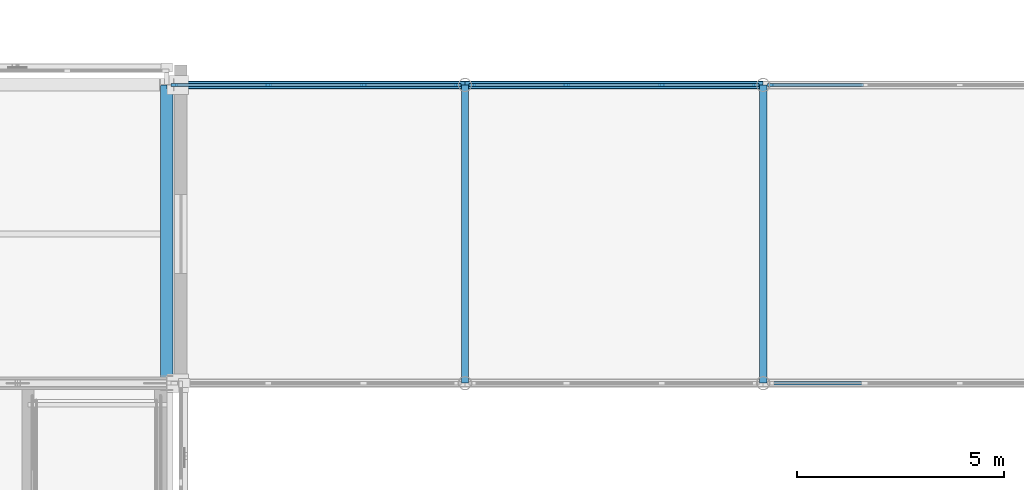
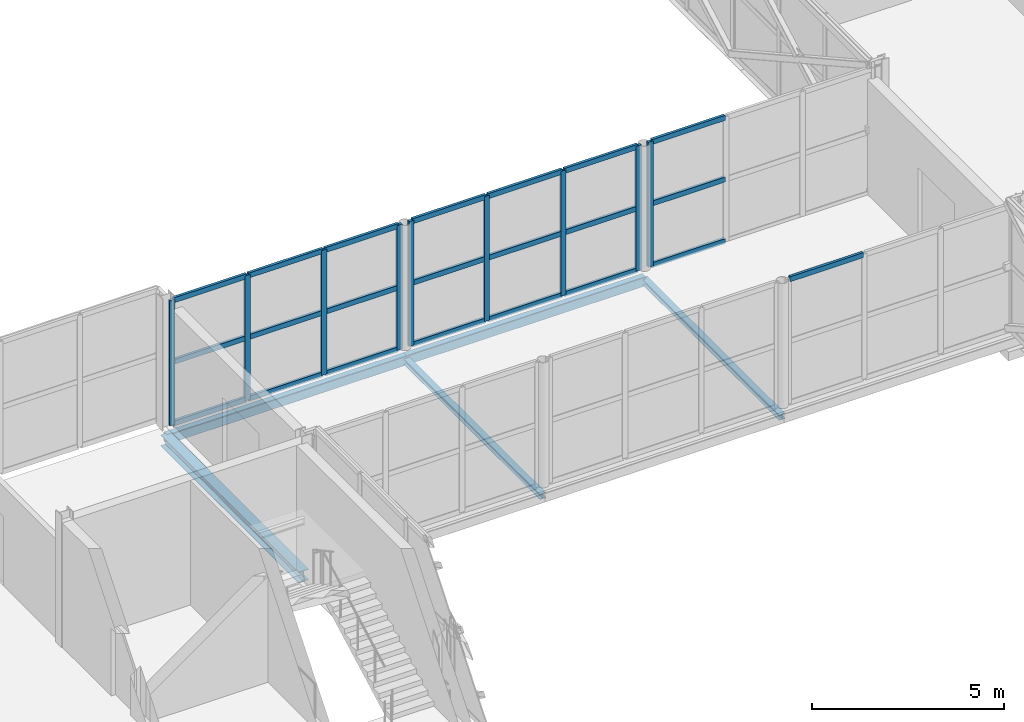
# One storey, part 38 of 126: 31 members, 5 beams, 4 elements without a shape of their own.
"""IFC4 building model written with IfcOpenShell, lengths in metres."""

from ifc_helpers import new_model, si_unit, direction, frame, origin, origin_2d, place, context, subcontext, project, spatial, rectangle, hollow_rectangle, i_section, extrude, material, material_profile, profile_set, type_object, element, aggregate, save


model = new_model("IFC4")

# Units and contexts
model_context = context("Model", 3, precision=1e-05, world=origin(), true_north=direction((0.0, 1.0)))
body_context = subcontext(model_context, "Body", "Model", "MODEL_VIEW")
ifc_project = project(units=[si_unit("LENGTHUNIT", "METRE"), si_unit("AREAUNIT", "SQUARE_METRE"), si_unit("VOLUMEUNIT", "CUBIC_METRE"), si_unit("PLANEANGLEUNIT", "RADIAN"), si_unit("MASSUNIT", "GRAM", prefix="KILO")], contexts=[model_context])

# Site, building, storey
site_placement = place(None, origin())
site = spatial("IfcSite", under=ifc_project, at=site_placement, CompositionType="ELEMENT")
building_placement = place(site_placement, origin())
building = spatial("IfcBuilding", under=site, at=building_placement, Name="Zlatovets Crest Museum", CompositionType="ELEMENT")
storey_placement = place(building_placement, frame((0.0, 0.0, 8.699951171875)))
storey = spatial("IfcBuildingStorey", under=building, at=storey_placement, Name="L02", CompositionType="ELEMENT", Elevation=8.699951171875)

# Beams
ifc_material_1 = material(Name="Structural steel S355J2", Category="steel")
ifc_material_profile_1 = material_profile(ifc_material_1, i_section(OverallWidth=0.300048828125, OverallDepth=0.35009765625, WebThickness=0.010009765625, FlangeThickness=0.017578125, FilletRadius=0.027099609375, at=origin_2d()), Name="HEA 360")
ifc_profile_set_1 = profile_set([ifc_material_profile_1], Name="Structural steel S355J2")
beam_type_1 = type_object("IfcBeamType", Name="Beam_B-03", PredefinedType="BEAM", material=ifc_profile_set_1)
beam_placement = place(storey_placement, frame((108.0, 21.60009765625, -0.39501953125), z_axis=(0.0, 1.0, 0.0), x_axis=(-1.0, 0.0, 0.0)))
element("IfcBeam", 1, at=beam_placement, inside=storey, type_object=beam_type_1, Name="V2 L02 Grid Beam B-03", PredefinedType="BEAM", context=body_context, shape_type="SweptSolid", body=[
    extrude(i_section(OverallWidth=0.300048828125, OverallDepth=0.35009765625, WebThickness=0.010009765625, FlangeThickness=0.017578125, FilletRadius=0.027099609375, at=origin_2d()), origin(), (0.0, 0.0, 1.0), 7.199951171875),
])
ifc_material_profile_2 = material_profile(ifc_material_1, i_section(OverallWidth=0.179931640625, OverallDepth=0.1708984375, WebThickness=0.006103515625, FlangeThickness=0.009521484375, FilletRadius=0.014892578125, at=origin_2d()), Name="HEA 180")
ifc_profile_set_2 = profile_set([ifc_material_profile_2], Name="Structural steel S355J2")
beam_type_2 = type_object("IfcBeamType", Name="Beam_B-16", PredefinedType="BEAM", material=ifc_profile_set_2)
for number, where, z_axis, x_axis, name in (
    (2, (115.199951171875, 21.60009765625, -0.369873046875), (0.0, 1.0, 0.0), (-1.0, 0.0, 0.0), "Southeast Archive Glazed Link Bridge L02 Cross Beam"),
    (3, (122.39990234375, 21.60009765625, -0.369873046875), (0.0, 1.0, 0.0), (-1.0, 0.0, 0.0), "Southeast Archive Glazed Link Bridge L02 Cross Beam"),
):
    element("IfcBeam", number, at=place(storey_placement, frame(where, z_axis=z_axis, x_axis=x_axis)), inside=storey, type_object=beam_type_2, Name=name, PredefinedType="BEAM", context=body_context, shape_type="SweptSolid", body=[
        extrude(i_section(OverallWidth=0.179931640625, OverallDepth=0.1708984375, WebThickness=0.006103515625, FlangeThickness=0.009521484375, FilletRadius=0.014892578125, at=origin_2d()), origin(), (0.0, 0.0, 1.0), 7.199951171875),
    ])
ifc_material_profile_3 = material_profile(ifc_material_1, hollow_rectangle(XDim=0.199951171875, YDim=0.300048828125, WallThickness=0.012451171875, InnerFilletRadius=0.012451171875, OuterFilletRadius=0.02490234375, at=origin_2d()), Name="RHS 200x300x12.5")
ifc_profile_set_3 = profile_set([ifc_material_profile_3], Name="Structural steel S355J2")
beam_type_3 = type_object("IfcBeamType", Name="Beam_BRG-01", PredefinedType="BEAM", material=ifc_profile_set_3)
for number, where, z_axis, x_axis, name in (
    (4, (108.0, 28.800048828125, -0.369873046875), (1.0, 0.0, 0.0), (0.0, 1.0, 0.0), "Southeast Archive Glazed Link Bridge L02 Stringer Beam"),
    (5, (115.199951171875, 28.800048828125, -0.369873046875), (1.0, 0.0, 0.0), (0.0, 1.0, 0.0), "Southeast Archive Glazed Link Bridge L02 Stringer Beam"),
):
    element("IfcBeam", number, at=place(storey_placement, frame(where, z_axis=z_axis, x_axis=x_axis)), inside=storey, type_object=beam_type_3, Name=name, PredefinedType="BEAM", context=body_context, shape_type="SweptSolid", body=[
        extrude(hollow_rectangle(XDim=0.199951171875, YDim=0.300048828125, WallThickness=0.012451171875, InnerFilletRadius=0.012451171875, OuterFilletRadius=0.02490234375, at=origin_2d()), origin(), (0.0, 0.0, 1.0), 7.199951171875),
    ])

# Curtain wall, members
ifc_material_2 = material(Name="Bronze-anodised aluminium and low-E triple glass", Category="aluminium")
curtain_wall_type = type_object("IfcCurtainWallType", Name="CW_CW-BR4-L02-S69", PredefinedType="NOTDEFINED", material=ifc_material_2)
curtain_wall_1_placement = place(storey_placement, origin())
curtain_wall_1 = element("IfcCurtainWall", 6, at=curtain_wall_1_placement, inside=storey, type_object=curtain_wall_type, Name="Southeast Archive Glazed Link Bridge L02 Glazed Bridge Curtain Wall", PredefinedType="NOTDEFINED")
ifc_material_3 = material(Name="Bronze-anodised aluminium EN AW-6060", Category="aluminium")
ifc_material_profile_4 = material_profile(ifc_material_3, rectangle(XDim=0.080078125, YDim=0.159912109375, at=origin_2d()), Name="ALU 80x160")
ifc_profile_set_4 = profile_set([ifc_material_profile_4], Name="Bronze-anodised aluminium EN AW-6060")
member_type_1 = type_object("IfcMemberType", Name="CWMull_M1", PredefinedType="MULLION", material=ifc_profile_set_4)
member_1_placement = place(storey_placement, frame((108.179931640625, 28.800048828125, 0.0), z_axis=(0.0, 0.0, 1.0), x_axis=(0.0, 1.0, 0.0)))
member_1 = element("IfcMember", 7, at=member_1_placement, type_object=member_type_1, Name="CW-BR4-L02-S69 mullion 1", PredefinedType="MULLION", context=body_context, shape_type="SweptSolid", body=[
    extrude(rectangle(XDim=0.080078125, YDim=0.159912109375, at=origin_2d()), origin(), (0.0, 0.0, 1.0), 3.97998046875),
])
member_2_placement = place(storey_placement, frame((110.449951171875, 28.800048828125, 0.0), z_axis=(0.0, 0.0, 1.0), x_axis=(0.0, 1.0, 0.0)))
member_2 = element("IfcMember", 8, at=member_2_placement, type_object=member_type_1, Name="CW-BR4-L02-S69 mullion 2", PredefinedType="MULLION", context=body_context, shape_type="SweptSolid", body=[
    extrude(rectangle(XDim=0.080078125, YDim=0.159912109375, at=origin_2d()), origin(), (0.0, 0.0, 1.0), 3.97998046875),
])
member_3_placement = place(storey_placement, frame((112.75, 28.800048828125, 0.0), z_axis=(0.0, 0.0, 1.0), x_axis=(0.0, 1.0, 0.0)))
member_3 = element("IfcMember", 9, at=member_3_placement, type_object=member_type_1, Name="CW-BR4-L02-S69 mullion 3", PredefinedType="MULLION", context=body_context, shape_type="SweptSolid", body=[
    extrude(rectangle(XDim=0.080078125, YDim=0.159912109375, at=origin_2d()), origin(), (0.0, 0.0, 1.0), 3.97998046875),
])
member_4_placement = place(storey_placement, frame((115.02001953125, 28.800048828125, 0.0), z_axis=(0.0, 0.0, 1.0), x_axis=(0.0, 1.0, 0.0)))
member_4 = element("IfcMember", 10, at=member_4_placement, type_object=member_type_1, Name="CW-BR4-L02-S69 mullion 4", PredefinedType="MULLION", context=body_context, shape_type="SweptSolid", body=[
    extrude(rectangle(XDim=0.080078125, YDim=0.159912109375, at=origin_2d()), origin(), (0.0, 0.0, 1.0), 3.97998046875),
])

curtain_wall_2_placement = place(storey_placement, origin())
curtain_wall_2 = element("IfcCurtainWall", 11, at=curtain_wall_2_placement, inside=storey, type_object=curtain_wall_type, Name="Southeast Archive Glazed Link Bridge L02 Glazed Bridge Curtain Wall", PredefinedType="NOTDEFINED")
member_5_placement = place(storey_placement, frame((115.3798828125, 28.800048828125, 0.0), z_axis=(0.0, 0.0, 1.0), x_axis=(0.0, 1.0, 0.0)))
member_5 = element("IfcMember", 12, at=member_5_placement, type_object=member_type_1, Name="CW-BR4-L02-S69 mullion 1", PredefinedType="MULLION", context=body_context, shape_type="SweptSolid", body=[
    extrude(rectangle(XDim=0.080078125, YDim=0.159912109375, at=origin_2d()), origin(), (0.0, 0.0, 1.0), 3.97998046875),
])
member_6_placement = place(storey_placement, frame((117.64990234375, 28.800048828125, 0.0), z_axis=(0.0, 0.0, 1.0), x_axis=(0.0, 1.0, 0.0)))
member_6 = element("IfcMember", 13, at=member_6_placement, type_object=member_type_1, Name="CW-BR4-L02-S69 mullion 2", PredefinedType="MULLION", context=body_context, shape_type="SweptSolid", body=[
    extrude(rectangle(XDim=0.080078125, YDim=0.159912109375, at=origin_2d()), origin(), (0.0, 0.0, 1.0), 3.97998046875),
])
member_7_placement = place(storey_placement, frame((119.949951171875, 28.800048828125, 0.0), z_axis=(0.0, 0.0, 1.0), x_axis=(0.0, 1.0, 0.0)))
member_7 = element("IfcMember", 14, at=member_7_placement, type_object=member_type_1, Name="CW-BR4-L02-S69 mullion 3", PredefinedType="MULLION", context=body_context, shape_type="SweptSolid", body=[
    extrude(rectangle(XDim=0.080078125, YDim=0.159912109375, at=origin_2d()), origin(), (0.0, 0.0, 1.0), 3.97998046875),
])
member_8_placement = place(storey_placement, frame((122.219970703125, 28.800048828125, 0.0), z_axis=(0.0, 0.0, 1.0), x_axis=(0.0, 1.0, 0.0)))
member_8 = element("IfcMember", 15, at=member_8_placement, type_object=member_type_1, Name="CW-BR4-L02-S69 mullion 4", PredefinedType="MULLION", context=body_context, shape_type="SweptSolid", body=[
    extrude(rectangle(XDim=0.080078125, YDim=0.159912109375, at=origin_2d()), origin(), (0.0, 0.0, 1.0), 3.97998046875),
])

# Curtain wall, member
curtain_wall_3_placement = place(storey_placement, origin())
curtain_wall_3 = element("IfcCurtainWall", 16, at=curtain_wall_3_placement, inside=storey, type_object=curtain_wall_type, Name="Southeast Archive Glazed Link Bridge L02 Glazed Bridge Curtain Wall", PredefinedType="NOTDEFINED")
member_9_placement = place(storey_placement, frame((122.580078125, 28.800048828125, 0.0), z_axis=(0.0, 0.0, 1.0), x_axis=(0.0, 1.0, 0.0)))
member_9 = element("IfcMember", 17, at=member_9_placement, type_object=member_type_1, Name="CW-BR4-L02-S69 mullion 1", PredefinedType="MULLION", context=body_context, shape_type="SweptSolid", body=[
    extrude(rectangle(XDim=0.080078125, YDim=0.159912109375, at=origin_2d()), origin(), (0.0, 0.0, 1.0), 3.97998046875),
])

curtain_wall_4_placement = place(storey_placement, origin())
curtain_wall_4 = element("IfcCurtainWall", 18, at=curtain_wall_4_placement, inside=storey, type_object=curtain_wall_type, Name="Southeast Archive Glazed Link Bridge L02 Glazed Bridge Curtain Wall", PredefinedType="NOTDEFINED")
ifc_material_profile_5 = material_profile(ifc_material_3, rectangle(XDim=0.080078125, YDim=0.159912109375, at=origin_2d()), Name="ALU 80x160")
ifc_profile_set_5 = profile_set([ifc_material_profile_5], Name="Bronze-anodised aluminium EN AW-6060")
member_type_2 = type_object("IfcMemberType", Name="CWTrans_T1", PredefinedType="USERDEFINED", material=ifc_profile_set_5)
member_10_placement = place(storey_placement, frame((122.610107421875, 21.60009765625, 3.949951171875), z_axis=(1.0, 0.0, 0.0), x_axis=(0.0, 1.0, 0.0)))
member_10 = element("IfcMember", 19, at=member_10_placement, type_object=member_type_2, Name="CW-BR4-L02-S69 transom 1.3", ObjectType="TRANSOM", PredefinedType="USERDEFINED", context=body_context, shape_type="SweptSolid", body=[
    extrude(rectangle(XDim=0.080078125, YDim=0.159912109375, at=origin_2d()), origin(), (0.0, 0.0, 1.0), 2.2099609375),
])
aggregate(curtain_wall_4, [member_10])

# Member
member_11_placement = place(storey_placement, frame((108.2099609375, 28.800048828125, 0.030029296875), z_axis=(1.0, 0.0, 0.0), x_axis=(0.0, 1.0, 0.0)))
member_11 = element("IfcMember", 20, at=member_11_placement, type_object=member_type_2, Name="CW-BR4-L02-S69 transom 1.1", ObjectType="TRANSOM", PredefinedType="USERDEFINED", context=body_context, shape_type="SweptSolid", body=[
    extrude(rectangle(XDim=0.080078125, YDim=0.159912109375, at=origin_2d()), origin(), (0.0, 0.0, 1.0), 2.2099609375),
])

member_12_placement = place(storey_placement, frame((108.2099609375, 28.800048828125, 1.989990234375), z_axis=(1.0, 0.0, 0.0), x_axis=(0.0, 1.0, 0.0)))
member_12 = element("IfcMember", 21, at=member_12_placement, type_object=member_type_2, Name="CW-BR4-L02-S69 transom 1.2", ObjectType="TRANSOM", PredefinedType="USERDEFINED", context=body_context, shape_type="SweptSolid", body=[
    extrude(rectangle(XDim=0.080078125, YDim=0.159912109375, at=origin_2d()), origin(), (0.0, 0.0, 1.0), 2.2099609375),
])

member_13_placement = place(storey_placement, frame((108.2099609375, 28.800048828125, 3.949951171875), z_axis=(1.0, 0.0, 0.0), x_axis=(0.0, 1.0, 0.0)))
member_13 = element("IfcMember", 22, at=member_13_placement, type_object=member_type_2, Name="CW-BR4-L02-S69 transom 1.3", ObjectType="TRANSOM", PredefinedType="USERDEFINED", context=body_context, shape_type="SweptSolid", body=[
    extrude(rectangle(XDim=0.080078125, YDim=0.159912109375, at=origin_2d()), origin(), (0.0, 0.0, 1.0), 2.2099609375),
])

member_14_placement = place(storey_placement, frame((110.47998046875, 28.800048828125, 0.030029296875), z_axis=(1.0, 0.0, 0.0), x_axis=(0.0, 1.0, 0.0)))
member_14 = element("IfcMember", 23, at=member_14_placement, type_object=member_type_2, Name="CW-BR4-L02-S69 transom 2.1", ObjectType="TRANSOM", PredefinedType="USERDEFINED", context=body_context, shape_type="SweptSolid", body=[
    extrude(rectangle(XDim=0.080078125, YDim=0.159912109375, at=origin_2d()), origin(), (0.0, 0.0, 1.0), 2.239990234375),
])

member_15_placement = place(storey_placement, frame((110.47998046875, 28.800048828125, 1.989990234375), z_axis=(1.0, 0.0, 0.0), x_axis=(0.0, 1.0, 0.0)))
member_15 = element("IfcMember", 24, at=member_15_placement, type_object=member_type_2, Name="CW-BR4-L02-S69 transom 2.2", ObjectType="TRANSOM", PredefinedType="USERDEFINED", context=body_context, shape_type="SweptSolid", body=[
    extrude(rectangle(XDim=0.080078125, YDim=0.159912109375, at=origin_2d()), origin(), (0.0, 0.0, 1.0), 2.239990234375),
])

member_16_placement = place(storey_placement, frame((110.47998046875, 28.800048828125, 3.949951171875), z_axis=(1.0, 0.0, 0.0), x_axis=(0.0, 1.0, 0.0)))
member_16 = element("IfcMember", 25, at=member_16_placement, type_object=member_type_2, Name="CW-BR4-L02-S69 transom 2.3", ObjectType="TRANSOM", PredefinedType="USERDEFINED", context=body_context, shape_type="SweptSolid", body=[
    extrude(rectangle(XDim=0.080078125, YDim=0.159912109375, at=origin_2d()), origin(), (0.0, 0.0, 1.0), 2.239990234375),
])

member_17_placement = place(storey_placement, frame((112.780029296875, 28.800048828125, 0.030029296875), z_axis=(1.0, 0.0, 0.0), x_axis=(0.0, 1.0, 0.0)))
member_17 = element("IfcMember", 26, at=member_17_placement, type_object=member_type_2, Name="CW-BR4-L02-S69 transom 3.1", ObjectType="TRANSOM", PredefinedType="USERDEFINED", context=body_context, shape_type="SweptSolid", body=[
    extrude(rectangle(XDim=0.080078125, YDim=0.159912109375, at=origin_2d()), origin(), (0.0, 0.0, 1.0), 2.2099609375),
])

member_18_placement = place(storey_placement, frame((112.780029296875, 28.800048828125, 1.989990234375), z_axis=(1.0, 0.0, 0.0), x_axis=(0.0, 1.0, 0.0)))
member_18 = element("IfcMember", 27, at=member_18_placement, type_object=member_type_2, Name="CW-BR4-L02-S69 transom 3.2", ObjectType="TRANSOM", PredefinedType="USERDEFINED", context=body_context, shape_type="SweptSolid", body=[
    extrude(rectangle(XDim=0.080078125, YDim=0.159912109375, at=origin_2d()), origin(), (0.0, 0.0, 1.0), 2.2099609375),
])

member_19_placement = place(storey_placement, frame((112.780029296875, 28.800048828125, 3.949951171875), z_axis=(1.0, 0.0, 0.0), x_axis=(0.0, 1.0, 0.0)))
member_19 = element("IfcMember", 28, at=member_19_placement, type_object=member_type_2, Name="CW-BR4-L02-S69 transom 3.3", ObjectType="TRANSOM", PredefinedType="USERDEFINED", context=body_context, shape_type="SweptSolid", body=[
    extrude(rectangle(XDim=0.080078125, YDim=0.159912109375, at=origin_2d()), origin(), (0.0, 0.0, 1.0), 2.2099609375),
])

aggregate(curtain_wall_1, [member_1, member_2, member_3, member_4, member_11, member_12, member_13, member_14, member_15, member_16, member_17, member_18, member_19])

member_20_placement = place(storey_placement, frame((115.409912109375, 28.800048828125, 0.030029296875), z_axis=(1.0, 0.0, 0.0), x_axis=(0.0, 1.0, 0.0)))
member_20 = element("IfcMember", 29, at=member_20_placement, type_object=member_type_2, Name="CW-BR4-L02-S69 transom 1.1", ObjectType="TRANSOM", PredefinedType="USERDEFINED", context=body_context, shape_type="SweptSolid", body=[
    extrude(rectangle(XDim=0.080078125, YDim=0.159912109375, at=origin_2d()), origin(), (0.0, 0.0, 1.0), 2.210205078125),
])

member_21_placement = place(storey_placement, frame((115.409912109375, 28.800048828125, 1.989990234375), z_axis=(1.0, 0.0, 0.0), x_axis=(0.0, 1.0, 0.0)))
member_21 = element("IfcMember", 30, at=member_21_placement, type_object=member_type_2, Name="CW-BR4-L02-S69 transom 1.2", ObjectType="TRANSOM", PredefinedType="USERDEFINED", context=body_context, shape_type="SweptSolid", body=[
    extrude(rectangle(XDim=0.080078125, YDim=0.159912109375, at=origin_2d()), origin(), (0.0, 0.0, 1.0), 2.210205078125),
])

member_22_placement = place(storey_placement, frame((115.409912109375, 28.800048828125, 3.949951171875), z_axis=(1.0, 0.0, 0.0), x_axis=(0.0, 1.0, 0.0)))
member_22 = element("IfcMember", 31, at=member_22_placement, type_object=member_type_2, Name="CW-BR4-L02-S69 transom 1.3", ObjectType="TRANSOM", PredefinedType="USERDEFINED", context=body_context, shape_type="SweptSolid", body=[
    extrude(rectangle(XDim=0.080078125, YDim=0.159912109375, at=origin_2d()), origin(), (0.0, 0.0, 1.0), 2.210205078125),
])

member_23_placement = place(storey_placement, frame((117.679931640625, 28.800048828125, 0.030029296875), z_axis=(1.0, 0.0, 0.0), x_axis=(0.0, 1.0, 0.0)))
member_23 = element("IfcMember", 32, at=member_23_placement, type_object=member_type_2, Name="CW-BR4-L02-S69 transom 2.1", ObjectType="TRANSOM", PredefinedType="USERDEFINED", context=body_context, shape_type="SweptSolid", body=[
    extrude(rectangle(XDim=0.080078125, YDim=0.159912109375, at=origin_2d()), origin(), (0.0, 0.0, 1.0), 2.239990234375),
])

member_24_placement = place(storey_placement, frame((117.679931640625, 28.800048828125, 1.989990234375), z_axis=(1.0, 0.0, 0.0), x_axis=(0.0, 1.0, 0.0)))
member_24 = element("IfcMember", 33, at=member_24_placement, type_object=member_type_2, Name="CW-BR4-L02-S69 transom 2.2", ObjectType="TRANSOM", PredefinedType="USERDEFINED", context=body_context, shape_type="SweptSolid", body=[
    extrude(rectangle(XDim=0.080078125, YDim=0.159912109375, at=origin_2d()), origin(), (0.0, 0.0, 1.0), 2.239990234375),
])

member_25_placement = place(storey_placement, frame((117.679931640625, 28.800048828125, 3.949951171875), z_axis=(1.0, 0.0, 0.0), x_axis=(0.0, 1.0, 0.0)))
member_25 = element("IfcMember", 34, at=member_25_placement, type_object=member_type_2, Name="CW-BR4-L02-S69 transom 2.3", ObjectType="TRANSOM", PredefinedType="USERDEFINED", context=body_context, shape_type="SweptSolid", body=[
    extrude(rectangle(XDim=0.080078125, YDim=0.159912109375, at=origin_2d()), origin(), (0.0, 0.0, 1.0), 2.239990234375),
])

member_26_placement = place(storey_placement, frame((119.97998046875, 28.800048828125, 0.030029296875), z_axis=(1.0, 0.0, 0.0), x_axis=(0.0, 1.0, 0.0)))
member_26 = element("IfcMember", 35, at=member_26_placement, type_object=member_type_2, Name="CW-BR4-L02-S69 transom 3.1", ObjectType="TRANSOM", PredefinedType="USERDEFINED", context=body_context, shape_type="SweptSolid", body=[
    extrude(rectangle(XDim=0.080078125, YDim=0.159912109375, at=origin_2d()), origin(), (0.0, 0.0, 1.0), 2.2099609375),
])

member_27_placement = place(storey_placement, frame((119.97998046875, 28.800048828125, 1.989990234375), z_axis=(1.0, 0.0, 0.0), x_axis=(0.0, 1.0, 0.0)))
member_27 = element("IfcMember", 36, at=member_27_placement, type_object=member_type_2, Name="CW-BR4-L02-S69 transom 3.2", ObjectType="TRANSOM", PredefinedType="USERDEFINED", context=body_context, shape_type="SweptSolid", body=[
    extrude(rectangle(XDim=0.080078125, YDim=0.159912109375, at=origin_2d()), origin(), (0.0, 0.0, 1.0), 2.2099609375),
])

member_28_placement = place(storey_placement, frame((119.97998046875, 28.800048828125, 3.949951171875), z_axis=(1.0, 0.0, 0.0), x_axis=(0.0, 1.0, 0.0)))
member_28 = element("IfcMember", 37, at=member_28_placement, type_object=member_type_2, Name="CW-BR4-L02-S69 transom 3.3", ObjectType="TRANSOM", PredefinedType="USERDEFINED", context=body_context, shape_type="SweptSolid", body=[
    extrude(rectangle(XDim=0.080078125, YDim=0.159912109375, at=origin_2d()), origin(), (0.0, 0.0, 1.0), 2.2099609375),
])

aggregate(curtain_wall_2, [member_5, member_6, member_7, member_8, member_20, member_21, member_22, member_23, member_24, member_25, member_26, member_27, member_28])

member_29_placement = place(storey_placement, frame((122.610107421875, 28.800048828125, 0.030029296875), z_axis=(1.0, 0.0, 0.0), x_axis=(0.0, 1.0, 0.0)))
member_29 = element("IfcMember", 38, at=member_29_placement, type_object=member_type_2, Name="CW-BR4-L02-S69 transom 1.1", ObjectType="TRANSOM", PredefinedType="USERDEFINED", context=body_context, shape_type="SweptSolid", body=[
    extrude(rectangle(XDim=0.080078125, YDim=0.159912109375, at=origin_2d()), origin(), (0.0, 0.0, 1.0), 2.2099609375),
])

member_30_placement = place(storey_placement, frame((122.610107421875, 28.800048828125, 1.989990234375), z_axis=(1.0, 0.0, 0.0), x_axis=(0.0, 1.0, 0.0)))
member_30 = element("IfcMember", 39, at=member_30_placement, type_object=member_type_2, Name="CW-BR4-L02-S69 transom 1.2", ObjectType="TRANSOM", PredefinedType="USERDEFINED", context=body_context, shape_type="SweptSolid", body=[
    extrude(rectangle(XDim=0.080078125, YDim=0.159912109375, at=origin_2d()), origin(), (0.0, 0.0, 1.0), 2.2099609375),
])

member_31_placement = place(storey_placement, frame((122.610107421875, 28.800048828125, 3.949951171875), z_axis=(1.0, 0.0, 0.0), x_axis=(0.0, 1.0, 0.0)))
member_31 = element("IfcMember", 40, at=member_31_placement, type_object=member_type_2, Name="CW-BR4-L02-S69 transom 1.3", ObjectType="TRANSOM", PredefinedType="USERDEFINED", context=body_context, shape_type="SweptSolid", body=[
    extrude(rectangle(XDim=0.080078125, YDim=0.159912109375, at=origin_2d()), origin(), (0.0, 0.0, 1.0), 2.2099609375),
])

aggregate(curtain_wall_3, [member_9, member_29, member_30, member_31])

save(model, "model.ifc")
